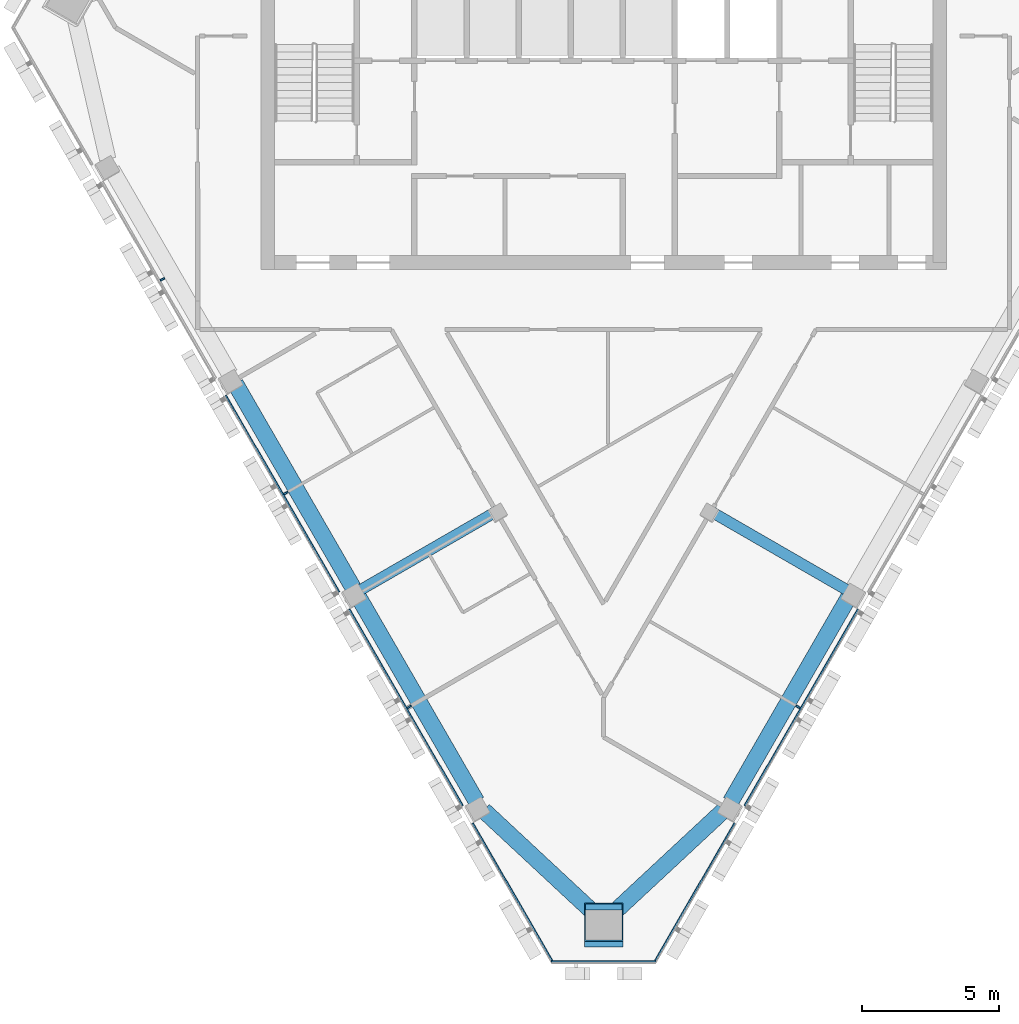
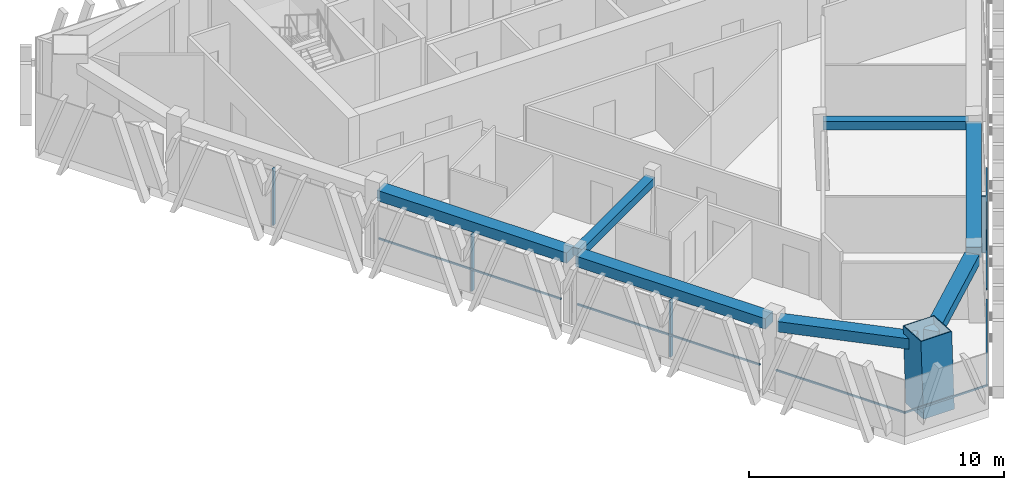
# One storey, part 2 of 12: 11 members, 7 beams, 3 elements without a shape of their own.
"""IFC4 building model written with IfcOpenShell, lengths in metres."""

from ifc_helpers import new_model, si_unit, direction, frame, origin, origin_2d, place, context, subcontext, project, spatial, rectangle, hollow_rectangle, extrude, material, layer, layer_set, material_profile, profile_set, type_object, element, aggregate, save


model = new_model("IFC4")

# Units and contexts
model_context = context("Model", 3, precision=1e-05, world=origin(), true_north=direction((0.0, 1.0)))
body_context = subcontext(model_context, "Body", "Model", "MODEL_VIEW")
ifc_project = project(units=[si_unit("LENGTHUNIT", "METRE"), si_unit("AREAUNIT", "SQUARE_METRE"), si_unit("VOLUMEUNIT", "CUBIC_METRE"), si_unit("PLANEANGLEUNIT", "RADIAN"), si_unit("MASSUNIT", "GRAM", prefix="KILO")], contexts=[model_context])

# Site, building, storey
site_placement = place(None, origin())
site = spatial("IfcSite", under=ifc_project, at=site_placement, CompositionType="ELEMENT")
building_placement = place(site_placement, origin())
building = spatial("IfcBuilding", under=site, at=building_placement, Name="Altiplano Prism Tower", CompositionType="ELEMENT")
storey_placement = place(building_placement, frame((0.0, 0.0, 316.60009765625)))
storey = spatial("IfcBuildingStorey", under=building, at=storey_placement, Name="L82", CompositionType="ELEMENT", Elevation=316.60009765625)

# Curtain wall, members
ifc_material_1 = material(Name="Aluminium and glass", Category="aluminium")
ifc_layer = layer(ifc_material_1, 0.280029296875)
ifc_layer_set = layer_set([ifc_layer], Name="Aluminium and glass")
curtain_wall_type = type_object("IfcCurtainWallType", Name="CW1 typical co-living unitised curtain wall", PredefinedType="NOTDEFINED", material=ifc_layer_set)
curtain_wall_1_placement = place(storey_placement, origin())
curtain_wall_1 = element("IfcCurtainWall", 1, at=curtain_wall_1_placement, inside=storey, type_object=curtain_wall_type, Name="CW1 curtain wall south-west face L82", PredefinedType="NOTDEFINED")
ifc_material_2 = material(Name="Aluminium", Category="aluminium")
ifc_material_profile_1 = material_profile(ifc_material_2, rectangle(XDim=0.179931640625, YDim=0.06494140625, at=origin_2d()), Name="CW1 mullion 65 x 180")
ifc_profile_set_1 = profile_set([ifc_material_profile_1], Name="Aluminium")
member_type_1 = type_object("IfcMemberType", Name="CW1 mullion 65 x 180", PredefinedType="MULLION", material=ifc_profile_set_1)
member_1_placement = place(storey_placement, frame((68.912841796875, 92.534423828125, 0.0), z_axis=(0.0, 0.0, 1.0), x_axis=(0.866025400224, 0.500000006167, 0.0)))
member_1 = element("IfcMember", 2, at=member_1_placement, type_object=member_type_1, Name="CW1 mullion", PredefinedType="MULLION", context=body_context, shape_type="SweptSolid", body=[
    extrude(rectangle(XDim=0.179931640625, YDim=0.06494140625, at=origin_2d()), origin(), (0.0, 0.0, 1.0), 2.699951171875),
])
member_2_placement = place(storey_placement, frame((73.412841796875, 84.740234375, 0.0), z_axis=(0.0, 0.0, 1.0), x_axis=(0.866025400224, 0.500000006167, 0.0)))
member_2 = element("IfcMember", 3, at=member_2_placement, type_object=member_type_1, Name="CW1 mullion", PredefinedType="MULLION", context=body_context, shape_type="SweptSolid", body=[
    extrude(rectangle(XDim=0.179931640625, YDim=0.06494140625, at=origin_2d()), origin(), (0.0, 0.0, 1.0), 2.699951171875),
])
member_3_placement = place(storey_placement, frame((77.912841796875, 76.946044921875, 0.0), z_axis=(0.0, 0.0, 1.0), x_axis=(0.866025400224, 0.500000006167, 0.0)))
member_3 = element("IfcMember", 4, at=member_3_placement, type_object=member_type_1, Name="CW1 mullion", PredefinedType="MULLION", context=body_context, shape_type="SweptSolid", body=[
    extrude(rectangle(XDim=0.179931640625, YDim=0.06494140625, at=origin_2d()), origin(), (0.0, 0.0, 1.0), 2.699951171875),
])

# Curtain wall, member
curtain_wall_2_placement = place(storey_placement, origin())
curtain_wall_2 = element("IfcCurtainWall", 5, at=curtain_wall_2_placement, inside=storey, type_object=curtain_wall_type, Name="CW1 curtain wall south-east face L82", PredefinedType="NOTDEFINED")
member_4_placement = place(storey_placement, frame((92.087158203125, 76.946044921875, 0.0), z_axis=(0.0, 0.0, 1.0), x_axis=(-0.866025400224, 0.500000006167, 0.0)))
member_4 = element("IfcMember", 6, at=member_4_placement, type_object=member_type_1, Name="CW1 mullion", PredefinedType="MULLION", context=body_context, shape_type="SweptSolid", body=[
    extrude(rectangle(XDim=0.179931640625, YDim=0.06494140625, at=origin_2d()), origin(), (0.0, 0.0, 1.0), 2.699951171875),
])

# Member
ifc_material_profile_2 = material_profile(ifc_material_2, rectangle(XDim=0.06005859375, YDim=0.080078125, at=origin_2d()), Name="CW1 transom 80 x 60")
ifc_profile_set_2 = profile_set([ifc_material_profile_2], Name="Aluminium")
member_type_2 = type_object("IfcMemberType", Name="CW1 transom 80 x 60", PredefinedType="USERDEFINED", material=ifc_profile_set_2)
member_5_placement = place(storey_placement, frame((71.2216796875, 88.29541015625, 1.099853515625), z_axis=(0.499987375974, -0.866032692147, 0.0), x_axis=(0.866032692147, 0.499987375974, 0.0)))
member_5 = element("IfcMember", 7, at=member_5_placement, type_object=member_type_2, Name="CW1 transom", ObjectType="TRANSOM", PredefinedType="USERDEFINED", context=body_context, shape_type="SweptSolid", body=[
    extrude(rectangle(XDim=0.06005859375, YDim=0.080078125, at=origin_2d()), origin(), (0.0, 0.0, 1.0), 8.269775390625),
])

member_6_placement = place(storey_placement, frame((75.7216796875, 80.501220703125, 1.099853515625), z_axis=(0.499987375974, -0.866032692147, 0.0), x_axis=(0.866032692147, 0.499987375974, 0.0)))
member_6 = element("IfcMember", 8, at=member_6_placement, type_object=member_type_2, Name="CW1 transom", ObjectType="TRANSOM", PredefinedType="USERDEFINED", context=body_context, shape_type="SweptSolid", body=[
    extrude(rectangle(XDim=0.06005859375, YDim=0.080078125, at=origin_2d()), origin(), (0.0, 0.0, 1.0), 8.269775390625),
])

member_7_placement = place(storey_placement, frame((80.2216796875, 72.70703125, 1.099853515625), z_axis=(0.499981679338, -0.866035980965, 0.0), x_axis=(0.866035980965, 0.499981679338, 0.0)))
member_7 = element("IfcMember", 9, at=member_7_placement, type_object=member_type_2, Name="CW1 transom", ObjectType="TRANSOM", PredefinedType="USERDEFINED", context=body_context, shape_type="SweptSolid", body=[
    extrude(rectangle(XDim=0.06005859375, YDim=0.080078125, at=origin_2d()), origin(), (0.0, 0.0, 1.0), 5.869873046875),
])

aggregate(curtain_wall_1, [member_1, member_2, member_5, member_3, member_6, member_7])

# Curtain wall, member
curtain_wall_3_placement = place(storey_placement, origin())
curtain_wall_3 = element("IfcCurtainWall", 10, at=curtain_wall_3_placement, inside=storey, type_object=curtain_wall_type, Name="CW1 curtain wall south chamfer L82", PredefinedType="NOTDEFINED")
member_8_placement = place(storey_placement, frame((83.095947265625, 67.658447265625, 1.099853515625), z_axis=(1.0, 0.0, 0.0), x_axis=(0.0, 1.0, 0.0)))
member_8 = element("IfcMember", 11, at=member_8_placement, type_object=member_type_2, Name="CW1 transom", ObjectType="TRANSOM", PredefinedType="USERDEFINED", context=body_context, shape_type="SweptSolid", body=[
    extrude(rectangle(XDim=0.06005859375, YDim=0.080078125, at=origin_2d()), origin(), (0.0, 0.0, 1.0), 3.80810546875),
])
aggregate(curtain_wall_3, [member_8])

# Member
member_9_placement = place(storey_placement, frame((86.843505859375, 67.62353515625, 1.099853515625), z_axis=(0.499981679338, 0.866035980965, 0.0), x_axis=(-0.866035980965, 0.499981679338, 0.0)))
member_9 = element("IfcMember", 12, at=member_9_placement, type_object=member_type_2, Name="CW1 transom", ObjectType="TRANSOM", PredefinedType="USERDEFINED", context=body_context, shape_type="SweptSolid", body=[
    extrude(rectangle(XDim=0.06005859375, YDim=0.080078125, at=origin_2d()), origin(), (0.0, 0.0, 1.0), 5.869873046875),
])

member_10_placement = place(storey_placement, frame((90.1435546875, 73.33935546875, 1.099853515625), z_axis=(0.499987375974, 0.866032692147, 0.0), x_axis=(-0.866032692147, 0.499987375974, 0.0)))
member_10 = element("IfcMember", 13, at=member_10_placement, type_object=member_type_2, Name="CW1 transom", ObjectType="TRANSOM", PredefinedType="USERDEFINED", context=body_context, shape_type="SweptSolid", body=[
    extrude(rectangle(XDim=0.06005859375, YDim=0.080078125, at=origin_2d()), origin(), (0.0, 0.0, 1.0), 8.269775390625),
])

aggregate(curtain_wall_2, [member_9, member_4, member_10])

# Beams
ifc_material_3 = material(Name="Concrete C60/75", Category="concrete")
ifc_material_profile_3 = material_profile(ifc_material_3, rectangle(XDim=0.60009765625, YDim=0.5, at=origin_2d()), Name="Edge beam 600x500")
ifc_profile_set_3 = profile_set([ifc_material_profile_3], Name="Concrete C60/75")
beam_type_1 = type_object("IfcBeamType", Name="Edge beam 600x500", PredefinedType="SPANDREL", material=ifc_profile_set_3)
for number, where, z_axis, x_axis, name in (
    (14, (71.5703125, 88.728271484375, 2.949951171875), (0.500024242818, -0.866011406734, 0.0), (0.866011406734, 0.500024242818, 0.0), "Edge beam P12-P13 L83"),
    (15, (76.0703125, 80.93408203125, 2.949951171875), (0.500024242818, -0.866011406734, 0.0), (0.866011406734, 0.500024242818, 0.0), "Edge beam P13-P14 L83"),
):
    element("IfcBeam", number, at=place(storey_placement, frame(where, z_axis=z_axis, x_axis=x_axis)), inside=storey, type_object=beam_type_1, Name=name, PredefinedType="SPANDREL", context=body_context, shape_type="SweptSolid", body=[
        extrude(rectangle(XDim=0.60009765625, YDim=0.5, at=origin_2d()), origin(), (0.0, 0.0, 1.0), 8.58984375),
    ])
for number, where, z_axis, x_axis, name in (
    (16, (80.62890625, 73.167724609375, 2.949951171875), (0.731966205633, -0.681340938013, 0.0), (0.681340938013, 0.731966205633, 0.0), "Edge beam P14-M1 L83"),
    (17, (85.329345703125, 69.405517578125, 2.949951171875), (0.731966205633, 0.681340938013, 0.0), (-0.681340938013, 0.731966205633, 0.0), "Edge beam M1-P21 L83"),
):
    element("IfcBeam", number, at=place(storey_placement, frame(where, z_axis=z_axis, x_axis=x_axis)), inside=storey, type_object=beam_type_1, Name=name, PredefinedType="SPANDREL", context=body_context, shape_type="SweptSolid", body=[
        extrude(rectangle(XDim=0.60009765625, YDim=0.5, at=origin_2d()), origin(), (0.0, 0.0, 1.0), 5.521728515625),
    ])
beam_placement = place(storey_placement, frame((89.634521484375, 73.4951171875, 2.949951171875), z_axis=(0.500024242818, 0.866011406734, 0.0), x_axis=(-0.866011406734, 0.500024242818, 0.0)))
element("IfcBeam", 18, at=beam_placement, inside=storey, type_object=beam_type_1, Name="Edge beam P21-P22 L83", PredefinedType="SPANDREL", context=body_context, shape_type="SweptSolid", body=[
    extrude(rectangle(XDim=0.60009765625, YDim=0.5, at=origin_2d()), origin(), (0.0, 0.0, 1.0), 8.58984375),
])

# Member
ifc_material_4 = material(Name="Steel S460", Category="steel")
ifc_material_profile_4 = material_profile(ifc_material_4, hollow_rectangle(XDim=1.39990234375, YDim=1.39990234375, WallThickness=0.0400390625, at=origin_2d()), Name="Mega column tube 1400")
ifc_profile_set_4 = profile_set([ifc_material_profile_4], Name="Steel S460")
member_type_3 = type_object("IfcMemberType", Name="Mega column tube 1400", PredefinedType="POST", material=ifc_profile_set_4)
member_11_placement = place(storey_placement, frame((85.0, 68.888427734375, 0.0), z_axis=(0.0, 0.058360852261, 0.998295552892), x_axis=(-1.0, 0.0, 0.0)))
element("IfcMember", 19, at=member_11_placement, inside=storey, type_object=member_type_3, Name="Mega column tube M1 L82", PredefinedType="POST", context=body_context, shape_type="SweptSolid", body=[
    extrude(hollow_rectangle(XDim=1.39990234375, YDim=1.39990234375, WallThickness=0.0400390625, at=origin_2d()), origin(), (0.0, 0.0, 1.0), 3.60595703125),
])

# Beams
ifc_material_profile_5 = material_profile(ifc_material_3, rectangle(XDim=0.39990234375, YDim=0.39990234375, at=origin_2d()), Name="Tie beam 400x400")
ifc_profile_set_5 = profile_set([ifc_material_profile_5], Name="Concrete C60/75")
beam_type_2 = type_object("IfcBeamType", Name="Tie beam 400x400", PredefinedType="BEAM", material=ifc_profile_set_5)
for number, where, z_axis, x_axis, name in (
    (20, (81.0947265625, 84.07177734375, 3.0), (-0.866007731267, -0.500030608449, 0.0), (0.500030608449, -0.866007731267, 0.0), "Tie beam I13 L83"),
    (21, (88.9052734375, 84.07177734375, 3.0), (0.866007731267, -0.500030608449, 0.0), (0.500030608449, 0.866007731267, 0.0), "Tie beam I22 L83"),
):
    element("IfcBeam", number, at=place(storey_placement, frame(where, z_axis=z_axis, x_axis=x_axis)), inside=storey, type_object=beam_type_2, Name=name, PredefinedType="BEAM", context=body_context, shape_type="SweptSolid", body=[
        extrude(rectangle(XDim=0.39990234375, YDim=0.39990234375, at=origin_2d()), origin(), (0.0, 0.0, 1.0), 5.715087890625),
    ])

save(model, "model.ifc")
